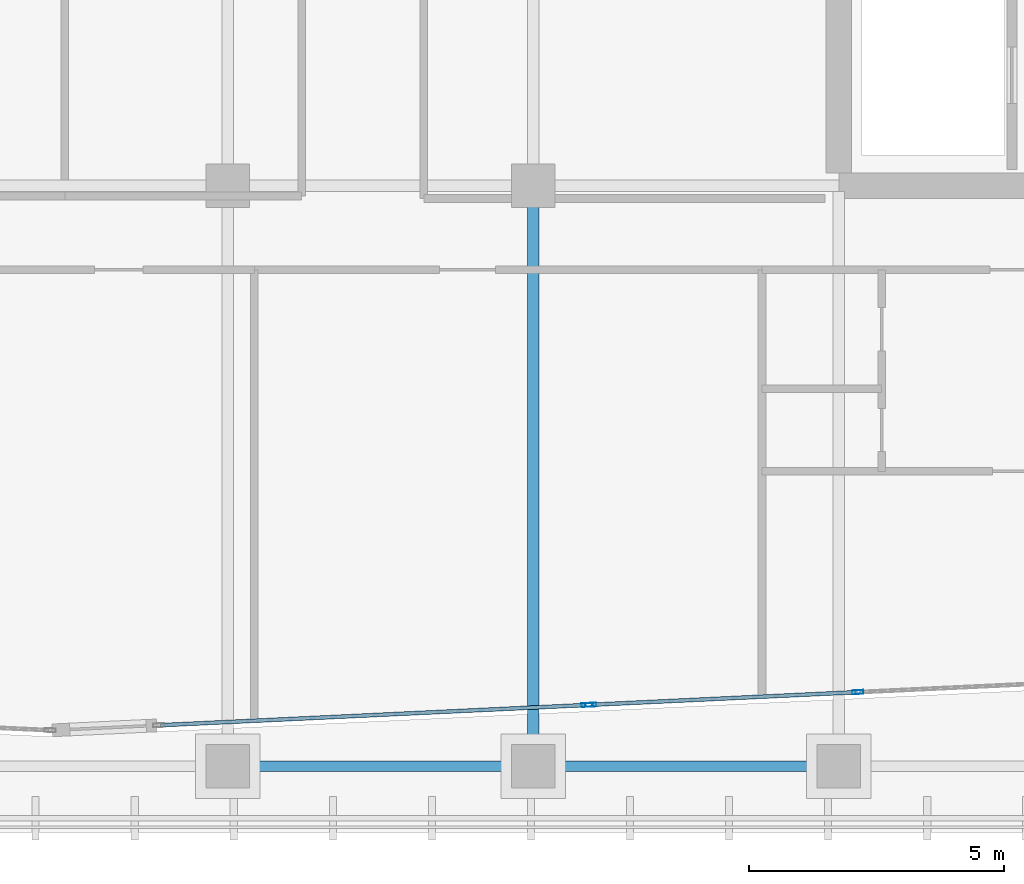
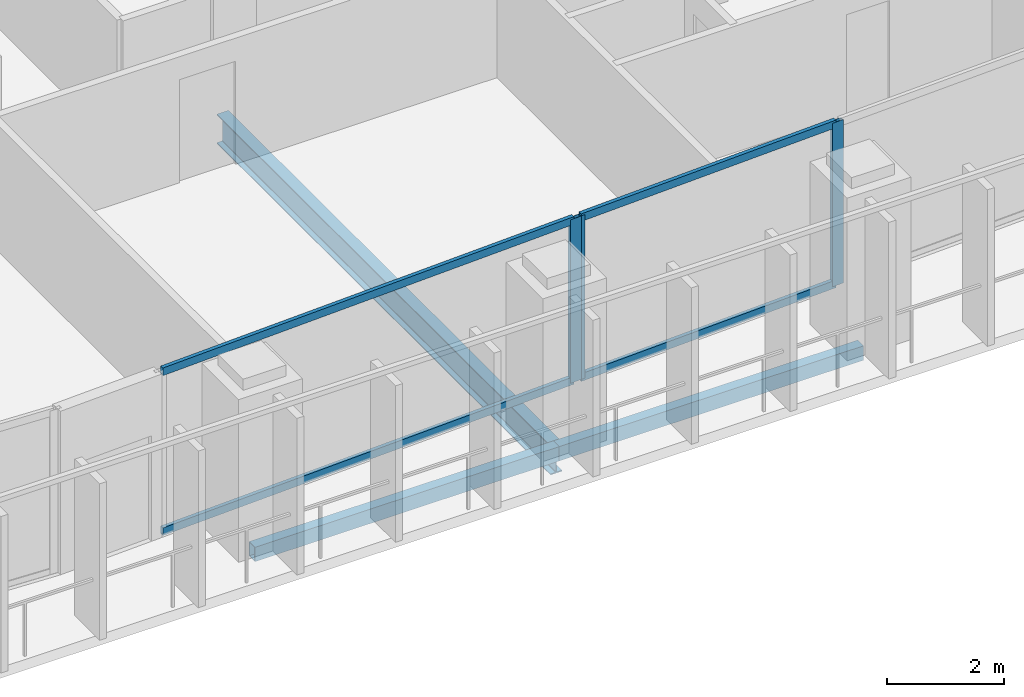
# One storey, part 6 of 28: 7 members, 3 beams, 2 elements without a shape of their own.
"""IFC4 building model written with IfcOpenShell, lengths in metres."""

from ifc_helpers import new_model, si_unit, direction, frame, origin, origin_2d, place, context, subcontext, project, spatial, hollow_rectangle, i_section, extrude, material, layer, layer_set, material_profile, profile_set, type_object, element, aggregate, save


model = new_model("IFC4")

# Units and contexts
model_context = context("Model", 3, precision=1e-05, world=origin(), true_north=direction((0.0, 1.0)))
body_context = subcontext(model_context, "Body", "Model", "MODEL_VIEW")
ifc_project = project(units=[si_unit("LENGTHUNIT", "METRE"), si_unit("AREAUNIT", "SQUARE_METRE"), si_unit("VOLUMEUNIT", "CUBIC_METRE"), si_unit("PLANEANGLEUNIT", "RADIAN"), si_unit("MASSUNIT", "GRAM", prefix="KILO")], contexts=[model_context])

# Site, building, storey
site_placement = place(None, origin())
site = spatial("IfcSite", under=ifc_project, at=site_placement, CompositionType="ELEMENT")
building_placement = place(site_placement, origin())
building = spatial("IfcBuilding", under=site, at=building_placement, Name="Tanjung Sevakor Pilgrim Tower", CompositionType="ELEMENT")
storey_placement = place(building_placement, frame((0.0, 0.0, 158.39990234375)))
storey = spatial("IfcBuildingStorey", under=building, at=storey_placement, Name="L44", CompositionType="ELEMENT", Elevation=158.39990234375)

# Beams
ifc_material_1 = material(Name="Steel S355J2", Category="steel")
ifc_material_profile_1 = material_profile(ifc_material_1, i_section(OverallWidth=0.22900390625, OverallDepth=0.6123046875, WebThickness=0.011962890625, FlangeThickness=0.01953125, FilletRadius=0.0126953125, at=origin_2d()))
ifc_profile_set_1 = profile_set([ifc_material_profile_1], Name="Steel S355J2")
beam_type_1 = type_object("IfcBeamType", Name="BM-B-G4-UB_610x229x125", PredefinedType="BEAM", material=ifc_profile_set_1)
beam_placement = place(storey_placement, frame((72.0, 13.199951171875, -0.526123046875), z_axis=(0.0, 1.0, 0.0), x_axis=(-1.0, 0.0, 0.0)))
element("IfcBeam", 1, at=beam_placement, inside=storey, type_object=beam_type_1, Name="L44 MAIN Girder 020", PredefinedType="BEAM", context=body_context, shape_type="SweptSolid", body=[
    extrude(i_section(OverallWidth=0.22900390625, OverallDepth=0.6123046875, WebThickness=0.011962890625, FlangeThickness=0.01953125, FilletRadius=0.0126953125, at=origin_2d()), origin(), (0.0, 0.0, 1.0), 11.400146484375),
])
ifc_material_2 = material(Name="Steel S355J2", Category="steel")
ifc_material_profile_2 = material_profile(ifc_material_2, hollow_rectangle(XDim=0.199951171875, YDim=0.300048828125, WallThickness=0.012451171875, at=origin_2d()))
ifc_profile_set_2 = profile_set([ifc_material_profile_2], Name="Steel S355J2")
beam_type_2 = type_object("IfcBeamType", Name="BM-B-SP3-RHS_300x200x12.5", PredefinedType="SPANDREL", material=ifc_profile_set_2)
for number, where, z_axis, x_axis, name in (
    (2, (66.0, 13.199951171875, -0.369873046875), (1.0, 0.0, 0.0), (0.0, 1.0, 0.0), "L44 Spandrel MAIN S-11"),
    (3, (72.0, 13.199951171875, -0.369873046875), (1.0, 0.0, 0.0), (0.0, 1.0, 0.0), "L44 Spandrel MAIN S-13"),
):
    element("IfcBeam", number, at=place(storey_placement, frame(where, z_axis=z_axis, x_axis=x_axis)), inside=storey, type_object=beam_type_2, Name=name, PredefinedType="SPANDREL", context=body_context, shape_type="SweptSolid", body=[
        extrude(hollow_rectangle(XDim=0.199951171875, YDim=0.300048828125, WallThickness=0.012451171875, at=origin_2d()), origin(), (0.0, 0.0, 1.0), 6.0),
    ])

# Curtain wall, member
ifc_material_3 = material(Name="Aluminium 6063-T6 and Low-E Glass", Category="aluminium")
ifc_layer = layer(ifc_material_3, 0.199951171875)
ifc_layer_set = layer_set([ifc_layer], Name="CW-SYS-PRAY")
curtain_wall_type = type_object("IfcCurtainWallType", Name="CW-SYS-PRAY", PredefinedType="NOTDEFINED", material=ifc_layer_set)
curtain_wall_1_placement = place(storey_placement, origin())
curtain_wall_1 = element("IfcCurtainWall", 4, at=curtain_wall_1_placement, inside=storey, type_object=curtain_wall_type, Name="L44 Curtain Wall CW-PRY-L44-10B", PredefinedType="NOTDEFINED")
ifc_material_4 = material(Name="Aluminium 6063-T6", Category="aluminium")
ifc_material_profile_3 = material_profile(ifc_material_4, hollow_rectangle(XDim=0.074951171875, YDim=0.219970703125, WallThickness=0.0048828125, at=origin_2d()))
ifc_profile_set_3 = profile_set([ifc_material_profile_3], Name="Aluminium 6063-T6")
member_type_1 = type_object("IfcMemberType", Name="TYPE-CWM-2", PredefinedType="MULLION", material=ifc_profile_set_3)
member_1_placement = place(storey_placement, frame((73.056640625, 14.403076171875, 0.0), z_axis=(0.0, 0.0, 1.0), x_axis=(-0.047352083849, 0.998878260928, 0.0)))
member_1 = element("IfcMember", 5, at=member_1_placement, type_object=member_type_1, Name="CW-PRY mullion 2", PredefinedType="MULLION", context=body_context, shape_type="SweptSolid", body=[
    extrude(hollow_rectangle(XDim=0.074951171875, YDim=0.219970703125, WallThickness=0.0048828125, at=origin_2d()), origin(), (0.0, 0.0, 1.0), 3.41015625),
])

# Curtain wall, members
curtain_wall_2_placement = place(storey_placement, origin())
curtain_wall_2 = element("IfcCurtainWall", 6, at=curtain_wall_2_placement, inside=storey, type_object=curtain_wall_type, Name="L44 Curtain Wall CW-PRY-L44-11", PredefinedType="NOTDEFINED")
member_2_placement = place(storey_placement, frame((73.131591796875, 14.40673828125, 0.0), z_axis=(0.0, 0.0, 1.0), x_axis=(-0.04733271113, 0.998879179109, 0.0)))
member_2 = element("IfcMember", 7, at=member_2_placement, type_object=member_type_1, Name="CW-PRY mullion 1", PredefinedType="MULLION", context=body_context, shape_type="SweptSolid", body=[
    extrude(hollow_rectangle(XDim=0.074951171875, YDim=0.219970703125, WallThickness=0.0048828125, at=origin_2d()), origin(), (0.0, 0.0, 1.0), 3.41015625),
])
member_3_placement = place(storey_placement, frame((78.3720703125, 14.655029296875, 0.0), z_axis=(0.0, 0.0, 1.0), x_axis=(-0.04733271113, 0.998879179109, 0.0)))
member_3 = element("IfcMember", 8, at=member_3_placement, type_object=member_type_1, Name="CW-PRY mullion 2", PredefinedType="MULLION", context=body_context, shape_type="SweptSolid", body=[
    extrude(hollow_rectangle(XDim=0.074951171875, YDim=0.219970703125, WallThickness=0.0048828125, at=origin_2d()), origin(), (0.0, 0.0, 1.0), 3.41015625),
])

# Member
ifc_material_5 = material(Name="Aluminium 6063-T6", Category="aluminium")
ifc_material_profile_4 = material_profile(ifc_material_5, hollow_rectangle(XDim=0.074951171875, YDim=0.159912109375, WallThickness=0.00439453125, at=origin_2d()))
ifc_profile_set_4 = profile_set([ifc_material_profile_4], Name="Aluminium 6063-T6")
member_type_2 = type_object("IfcMemberType", Name="TYPE-CWT-2", PredefinedType="USERDEFINED", material=ifc_profile_set_4)
member_4_placement = place(storey_placement, frame((64.6826171875, 14.006103515625, 0.03759765625), z_axis=(0.99887791143, 0.047359455841, 0.0), x_axis=(-0.047359455841, 0.99887791143, 0.0)))
member_4 = element("IfcMember", 9, at=member_4_placement, type_object=member_type_2, Name="CW-PRY transom 1.1", ObjectType="TRANSOM", PredefinedType="USERDEFINED", context=body_context, shape_type="SweptSolid", body=[
    extrude(hollow_rectangle(XDim=0.074951171875, YDim=0.159912109375, WallThickness=0.00439453125, at=origin_2d()), origin(), (0.0, 0.0, 1.0), 8.345947265625),
])

member_5_placement = place(storey_placement, frame((64.6826171875, 14.006103515625, 3.37255859375), z_axis=(0.99887791143, 0.047359455841, 0.0), x_axis=(-0.047359455841, 0.99887791143, 0.0)))
member_5 = element("IfcMember", 10, at=member_5_placement, type_object=member_type_2, Name="CW-PRY transom 1.2", ObjectType="TRANSOM", PredefinedType="USERDEFINED", context=body_context, shape_type="SweptSolid", body=[
    extrude(hollow_rectangle(XDim=0.074951171875, YDim=0.159912109375, WallThickness=0.00439453125, at=origin_2d()), origin(), (0.0, 0.0, 1.0), 8.345947265625),
])

aggregate(curtain_wall_1, [member_1, member_4, member_5])

member_6_placement = place(storey_placement, frame((73.1689453125, 14.408447265625, 0.03759765625), z_axis=(0.998878262033, 0.047352060536, 0.0), x_axis=(-0.047352060536, 0.998878262033, 0.0)))
member_6 = element("IfcMember", 11, at=member_6_placement, type_object=member_type_2, Name="CW-PRY transom 1.1", ObjectType="TRANSOM", PredefinedType="USERDEFINED", context=body_context, shape_type="SweptSolid", body=[
    extrude(hollow_rectangle(XDim=0.074951171875, YDim=0.159912109375, WallThickness=0.00439453125, at=origin_2d()), origin(), (0.0, 0.0, 1.0), 5.17138671875),
])

member_7_placement = place(storey_placement, frame((73.1689453125, 14.408447265625, 3.37255859375), z_axis=(0.998878262033, 0.047352060536, 0.0), x_axis=(-0.047352060536, 0.998878262033, 0.0)))
member_7 = element("IfcMember", 12, at=member_7_placement, type_object=member_type_2, Name="CW-PRY transom 1.2", ObjectType="TRANSOM", PredefinedType="USERDEFINED", context=body_context, shape_type="SweptSolid", body=[
    extrude(hollow_rectangle(XDim=0.074951171875, YDim=0.159912109375, WallThickness=0.00439453125, at=origin_2d()), origin(), (0.0, 0.0, 1.0), 5.17138671875),
])

aggregate(curtain_wall_2, [member_2, member_3, member_6, member_7])

save(model, "model.ifc")
